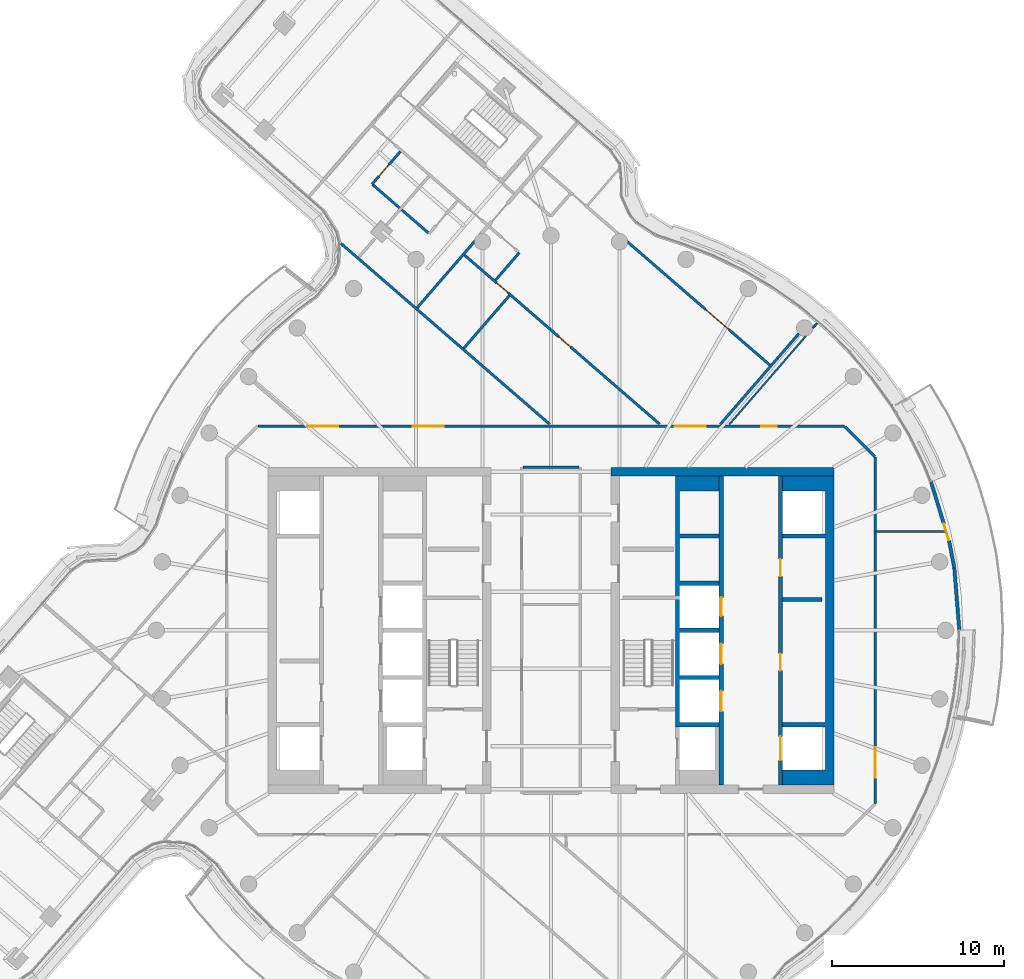
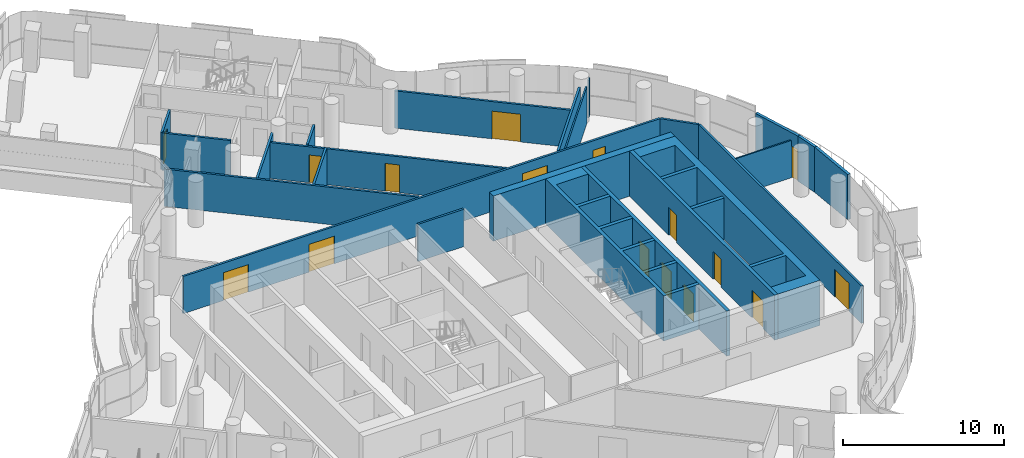
# One storey, part 22 of 32: 25 walls, 16 doors, 16 openings.
"""IFC4 building model written with IfcOpenShell, lengths in metres."""

from ifc_helpers import new_model, si_unit, direction, frame, frame_2d, origin, place, context, subcontext, project, spatial, polyline, rectangle, outline, extrude, material, layer, layer_set, type_object, element, fill, save


model = new_model("IFC4")

# Units and contexts
model_context = context("Model", 3, precision=1e-05, world=origin(), true_north=direction((0.0, 1.0)))
body_context = subcontext(model_context, "Body", "Model", "MODEL_VIEW")
ifc_project = project(units=[si_unit("LENGTHUNIT", "METRE"), si_unit("AREAUNIT", "SQUARE_METRE"), si_unit("VOLUMEUNIT", "CUBIC_METRE"), si_unit("PLANEANGLEUNIT", "RADIAN"), si_unit("MASSUNIT", "GRAM", prefix="KILO")], contexts=[model_context])

# Site, building, storey
site_placement = place(None, origin())
site = spatial("IfcSite", under=ifc_project, at=site_placement, CompositionType="ELEMENT")
building_placement = place(site_placement, origin())
building = spatial("IfcBuilding", under=site, at=building_placement, Name="Tamarind Cross Interchange Tower", CompositionType="ELEMENT")
storey_placement = place(building_placement, frame((0.0, 0.0, 211.300048828125)))
storey = spatial("IfcBuildingStorey", under=building, at=storey_placement, Name="L53", CompositionType="ELEMENT", Elevation=211.300048828125)

# Wall
ifc_material_1 = material(Name="Concrete C40", Category="concrete")
ifc_layer_1 = layer(ifc_material_1, 0.199951171875)
ifc_layer_set_1 = layer_set([ifc_layer_1], Name="Concrete C40")
wall_type_1 = type_object("IfcWallType", Name="Balcony and garden door wall", PredefinedType="SOLIDWALL", material=ifc_layer_set_1)
wall_1_placement = place(storey_placement, frame((23.79296875, 0.03076171875, 0.0), z_axis=(0.0, 0.0, 1.0), x_axis=(-0.080027055539, 0.996792691778, 0.0)))
element("IfcWall", 1, at=wall_1_placement, inside=storey, type_object=wall_type_1, Name="EXW-L53-06-D06L", PredefinedType="SOLIDWALL", context=body_context, shape_type="SweptSolid", body=[
    extrude(rectangle(XDim=3.614990234375, YDim=0.199951171875, at=frame_2d((1.8076171875, 0.0))), origin(), (0.0, 0.0, 1.0), 3.419921875),
])

# Wall, opening, door
wall_2_placement = place(storey_placement, frame((23.199951171875, 5.204345703125, 0.0), z_axis=(0.0, 0.0, 1.0), x_axis=(-0.292656271442, 0.956217708885, 0.0)))
wall_2 = element("IfcWall", 2, at=wall_2_placement, inside=storey, type_object=wall_type_1, Name="EXW-L53-06-D06R", PredefinedType="SOLIDWALL", context=body_context, shape_type="SweptSolid", body=[
    extrude(rectangle(XDim=3.613037109375, YDim=0.199951171875, at=frame_2d((1.806640625, 0.0))), origin(), (0.0, 0.0, 1.0), 3.419921875),
])
opening_1_placement = place(wall_2_placement, frame((0.050048828125, 0.0, 0.0)))
opening_1 = element("IfcOpeningElement", 3, at=opening_1_placement, cuts=wall_2, Name="Opening D2", PredefinedType="OPENING", context=body_context, shape_type="SweptSolid", body=[
    extrude(rectangle(XDim=1.0, YDim=2.39990234375, at=frame_2d((0.5, 1.199951171875))), frame((0.0, 0.10986328125, 0.0), z_axis=(0.0, -1.0, 0.0), x_axis=(1.0, 0.0, 0.0)), (0.0, 0.0, 1.0), 0.219970703125),
])
ifc_material_2 = material(Name="Aluminium and toughened glass", Category="aluminium")
door_type_1 = type_object("IfcDoorType", Name="Balcony and garden door", OperationType="SINGLE_SWING_LEFT", PredefinedType="DOOR", material=ifc_material_2)
door_1_placement = place(opening_1_placement, origin())
door_1 = element("IfcDoor", 4, at=door_1_placement, inside=storey, type_object=door_type_1, Name="DOR-L53-06-06", OperationType="SINGLE_SWING_LEFT", OverallHeight=2.39990234375, OverallWidth=1.0, PredefinedType="DOOR", context=body_context, shape_type="SweptSolid", body=[
    extrude(rectangle(XDim=1.0, YDim=2.39990234375, at=frame_2d((0.5, 1.199951171875))), frame((0.0, 0.02490234375, 0.0), z_axis=(0.0, -1.0, 0.0), x_axis=(1.0, 0.0, 0.0)), (0.0, 0.0, 1.0), 0.050048828125),
])
fill(opening_1, door_1)

# Walls
wall_3_placement = place(storey_placement, frame((23.503662109375, 3.63427734375, 0.0), z_axis=(0.0, 0.0, 1.0), x_axis=(-0.189917473451, 0.981800057689, 0.0)))
element("IfcWall", 5, at=wall_3_placement, inside=storey, type_object=wall_type_1, Name="EXW-L53-06-D06", PredefinedType="SOLIDWALL", context=body_context, shape_type="SweptSolid", body=[
    extrude(rectangle(XDim=1.59912109375, YDim=0.199951171875, at=frame_2d((0.799560546875, 0.0))), origin(), (0.0, 0.0, 1.0), 3.419921875),
])
ifc_material_3 = material(Name="Concrete C55", Category="concrete")
ifc_layer_2 = layer(ifc_material_3, 0.5)
ifc_layer_set_2 = layer_set([ifc_layer_2], Name="Concrete C55")
wall_type_2 = type_object("IfcWallType", Name="Core wall 500 mm Concrete C55", PredefinedType="SHEAR", material=ifc_layer_set_2)
wall_4_placement = place(storey_placement, origin())
element("IfcWall", 6, at=wall_4_placement, inside=storey, type_object=wall_type_2, Name="Core wall CWL-L53-E-A", PredefinedType="SHEAR", context=body_context, shape_type="SweptSolid", body=[
    extrude(outline(polyline([(13.5, -8.125), (13.5, -9.0), (16.0, -9.0), (16.5, -9.0), (16.5, 9.0), (16.0, 9.0), (13.5, 9.0), (13.5, 8.125), (16.0, 8.125), (16.0, 5.625), (13.5, 5.625), (13.5, 5.375), (16.0, 5.375), (16.0, -5.375), (13.5, -5.375), (13.5, -5.625), (16.0, -5.625), (16.0, -8.125), (13.5, -8.125)])), origin(), (0.0, 0.0, 1.0), 3.419921875),
])
wall_5_placement = place(storey_placement, frame((16.5, 9.25, 0.0), z_axis=(0.0, 0.0, 1.0), x_axis=(-1.0, 0.0, 0.0)))
element("IfcWall", 7, at=wall_5_placement, inside=storey, type_object=wall_type_2, Name="Core wall CWL-L53-E-NE", PredefinedType="SHEAR", context=body_context, shape_type="SweptSolid", body=[
    extrude(rectangle(XDim=13.0, YDim=0.5, at=frame_2d((6.5, 0.0))), origin(), (0.0, 0.0, 1.0), 3.419921875),
])
ifc_layer_3 = layer(ifc_material_3, 0.25)
ifc_layer_set_3 = layer_set([ifc_layer_3], Name="Concrete C55")
wall_type_3 = type_object("IfcWallType", Name="Core web wall 250 mm Concrete C55", PredefinedType="SHEAR", material=ifc_layer_set_3)
wall_6_placement = place(storey_placement, origin())
element("IfcWall", 8, at=wall_6_placement, inside=storey, type_object=wall_type_3, Name="Core wall CWL-L53-E-BN", PredefinedType="SHEAR", context=body_context, shape_type="SweptSolid", body=[
    extrude(outline(polyline([(9.800048828125, -5.375), (7.5, -5.375), (7.5, -2.875), (9.800048828125, -2.875), (9.800048828125, -2.625), (7.5, -2.625), (7.5, -0.125), (9.800048828125, -0.125), (9.800048828125, 0.125), (7.5, 0.125), (7.5, 2.625), (9.800048828125, 2.625), (9.800048828125, 2.875), (7.5, 2.875), (7.5, 5.375), (9.800048828125, 5.375), (9.800048828125, 5.625), (7.5, 5.625), (7.5, 8.125), (9.800048828125, 8.125), (9.800048828125, 9.0), (7.5, 9.0), (7.25, 9.0), (7.25, -5.625), (7.5, -5.625), (9.800048828125, -5.625), (9.800048828125, -5.375)])), origin(), (0.0, 0.0, 1.0), 3.419921875),
])

# Wall, openings, doors
wall_7_placement = place(storey_placement, frame((13.375, -9.0, 0.0), z_axis=(0.0, 0.0, 1.0), x_axis=(0.0, 1.0, 0.0)))
wall_7 = element("IfcWall", 9, at=wall_7_placement, inside=storey, type_object=wall_type_3, Name="Core wall CWL-L53-E-LA", PredefinedType="SHEAR", context=body_context, shape_type="SweptSolid", body=[
    extrude(rectangle(XDim=18.0, YDim=0.25, at=frame_2d((9.0, 0.0))), origin(), (0.0, 0.0, 1.0), 3.419921875),
])
opening_2_placement = place(wall_7_placement, frame((1.425048828125, 0.0, 0.0)))
opening_2 = element("IfcOpeningElement", 10, at=opening_2_placement, cuts=wall_7, Name="Opening LD13L53", PredefinedType="OPENING", context=body_context, shape_type="SweptSolid", body=[
    extrude(rectangle(XDim=1.39990234375, YDim=2.10009765625, at=frame_2d((0.699951171875, 1.050048828125))), frame((0.0, 0.135009765625, 0.0), z_axis=(0.0, -1.0, 0.0), x_axis=(1.0, 0.0, 0.0)), (0.0, 0.0, 1.0), 0.27001953125),
])
opening_3_placement = place(wall_7_placement, frame((6.64599609375, 0.0, 0.0)))
opening_3 = element("IfcOpeningElement", 11, at=opening_3_placement, cuts=wall_7, Name="Opening DCE9", PredefinedType="OPENING", context=body_context, shape_type="SweptSolid", body=[
    extrude(rectangle(XDim=1.0, YDim=2.10009765625, at=frame_2d((0.5, 1.050048828125))), frame((0.0, 0.135009765625, 0.0), z_axis=(0.0, -1.0, 0.0), x_axis=(1.0, 0.0, 0.0)), (0.0, 0.0, 1.0), 0.27001953125),
])
opening_4_placement = place(wall_7_placement, frame((12.14599609375, 0.0, 0.0)))
opening_4 = element("IfcOpeningElement", 12, at=opening_4_placement, cuts=wall_7, Name="Opening DCE10", PredefinedType="OPENING", context=body_context, shape_type="SweptSolid", body=[
    extrude(rectangle(XDim=1.0, YDim=2.10009765625, at=frame_2d((0.5, 1.050048828125))), frame((0.0, 0.135009765625, 0.0), z_axis=(0.0, -1.0, 0.0), x_axis=(1.0, 0.0, 0.0)), (0.0, 0.0, 1.0), 0.27001953125),
])
ifc_material_4 = material(Name="Steel, fire-resisting", Category="steel")
door_type_2 = type_object("IfcDoorType", Name="Core fire door 1000 x 2100 FD90", OperationType="SINGLE_SWING_LEFT", PredefinedType="DOOR", material=ifc_material_4)
door_2_placement = place(opening_3_placement, origin())
door_2 = element("IfcDoor", 13, at=door_2_placement, inside=storey, type_object=door_type_2, Name="L53 Ice and vending room door", OperationType="SINGLE_SWING_LEFT", OverallHeight=2.10009765625, OverallWidth=1.0, PredefinedType="DOOR", context=body_context, shape_type="SweptSolid", body=[
    extrude(rectangle(XDim=1.0, YDim=2.10009765625, at=frame_2d((0.5, 1.050048828125))), frame((0.0, 0.02490234375, 0.0), z_axis=(0.0, -1.0, 0.0), x_axis=(1.0, 0.0, 0.0)), (0.0, 0.0, 1.0), 0.050048828125),
])
fill(opening_3, door_2)
door_3_placement = place(opening_4_placement, origin())
door_3 = element("IfcDoor", 14, at=door_3_placement, inside=storey, type_object=door_type_2, Name="L53 Guest laundry door", OperationType="SINGLE_SWING_LEFT", OverallHeight=2.10009765625, OverallWidth=1.0, PredefinedType="DOOR", context=body_context, shape_type="SweptSolid", body=[
    extrude(rectangle(XDim=1.0, YDim=2.10009765625, at=frame_2d((0.5, 1.050048828125))), frame((0.0, 0.02490234375, 0.0), z_axis=(0.0, -1.0, 0.0), x_axis=(1.0, 0.0, 0.0)), (0.0, 0.0, 1.0), 0.050048828125),
])
fill(opening_4, door_3)
ifc_material_5 = material(Name="Stainless steel panel", Category="steel")
door_type_3 = type_object("IfcDoorType", Name="Lift landing door 1400 x 2100 E 120", OperationType="SLIDING_TO_LEFT", PredefinedType="DOOR", material=ifc_material_5)
door_4_placement = place(opening_2_placement, origin())
door_4 = element("IfcDoor", 15, at=door_4_placement, inside=storey, type_object=door_type_3, Name="L53 landing door LF13", OperationType="SLIDING_TO_LEFT", OverallHeight=2.10009765625, OverallWidth=1.39990234375, PredefinedType="DOOR", context=body_context, shape_type="SweptSolid", body=[
    extrude(rectangle(XDim=1.39990234375, YDim=2.10009765625, at=frame_2d((0.699951171875, 1.050048828125))), frame((0.0, 0.02490234375, 0.0), z_axis=(0.0, -1.0, 0.0), x_axis=(1.0, 0.0, 0.0)), (0.0, 0.0, 1.0), 0.050048828125),
])
fill(opening_2, door_4)

wall_8_placement = place(storey_placement, frame((9.925048828125, -9.0, 0.0), z_axis=(0.0, 0.0, 1.0), x_axis=(0.0, 1.0, 0.0)))
wall_8 = element("IfcWall", 16, at=wall_8_placement, inside=storey, type_object=wall_type_3, Name="Core wall CWL-L53-E-LB", PredefinedType="SHEAR", context=body_context, shape_type="SweptSolid", body=[
    extrude(rectangle(XDim=18.0, YDim=0.25, at=frame_2d((9.0, 0.0))), origin(), (0.0, 0.0, 1.0), 3.419921875),
])
opening_5_placement = place(wall_8_placement, frame((4.27490234375, 0.0, 0.0)))
opening_5 = element("IfcOpeningElement", 17, at=opening_5_placement, cuts=wall_8, Name="Opening LD20L53", PredefinedType="OPENING", context=body_context, shape_type="SweptSolid", body=[
    extrude(rectangle(XDim=1.199951171875, YDim=2.10009765625, at=frame_2d((0.60009765625, 1.050048828125))), frame((0.0, 0.135009765625, 0.0), z_axis=(0.0, -1.0, 0.0), x_axis=(1.0, 0.0, 0.0)), (0.0, 0.0, 1.0), 0.27001953125),
])
opening_6_placement = place(wall_8_placement, frame((7.02490234375, 0.0, 0.0)))
opening_6 = element("IfcOpeningElement", 18, at=opening_6_placement, cuts=wall_8, Name="Opening LD21L53", PredefinedType="OPENING", context=body_context, shape_type="SweptSolid", body=[
    extrude(rectangle(XDim=1.199951171875, YDim=2.10009765625, at=frame_2d((0.60009765625, 1.050048828125))), frame((0.0, 0.135009765625, 0.0), z_axis=(0.0, -1.0, 0.0), x_axis=(1.0, 0.0, 0.0)), (0.0, 0.0, 1.0), 0.27001953125),
])
opening_7_placement = place(wall_8_placement, frame((9.824951171875, 0.0, 0.0)))
opening_7 = element("IfcOpeningElement", 19, at=opening_7_placement, cuts=wall_8, Name="Opening LD22L53", PredefinedType="OPENING", context=body_context, shape_type="SweptSolid", body=[
    extrude(rectangle(XDim=1.10009765625, YDim=2.10009765625, at=frame_2d((0.550048828125, 1.050048828125))), frame((0.0, 0.135009765625, 0.0), z_axis=(0.0, -1.0, 0.0), x_axis=(1.0, 0.0, 0.0)), (0.0, 0.0, 1.0), 0.27001953125),
])
door_type_4 = type_object("IfcDoorType", Name="Lift landing door 1100 x 2100 E 120", OperationType="SLIDING_TO_LEFT", PredefinedType="DOOR", material=ifc_material_5)
door_5_placement = place(opening_7_placement, origin())
door_5 = element("IfcDoor", 20, at=door_5_placement, inside=storey, type_object=door_type_4, Name="L53 landing door LF22", OperationType="SLIDING_TO_LEFT", OverallHeight=2.10009765625, OverallWidth=1.10009765625, PredefinedType="DOOR", context=body_context, shape_type="SweptSolid", body=[
    extrude(rectangle(XDim=1.10009765625, YDim=2.10009765625, at=frame_2d((0.550048828125, 1.050048828125))), frame((0.0, 0.02490234375, 0.0), z_axis=(0.0, -1.0, 0.0), x_axis=(1.0, 0.0, 0.0)), (0.0, 0.0, 1.0), 0.050048828125),
])
fill(opening_7, door_5)
door_type_5 = type_object("IfcDoorType", Name="Lift landing door 1200 x 2100 E 120", OperationType="SLIDING_TO_LEFT", PredefinedType="DOOR", material=ifc_material_5)
door_6_placement = place(opening_5_placement, origin())
door_6 = element("IfcDoor", 21, at=door_6_placement, inside=storey, type_object=door_type_5, Name="L53 landing door LF20", OperationType="SLIDING_TO_LEFT", OverallHeight=2.10009765625, OverallWidth=1.199951171875, PredefinedType="DOOR", context=body_context, shape_type="SweptSolid", body=[
    extrude(rectangle(XDim=1.199951171875, YDim=2.10009765625, at=frame_2d((0.60009765625, 1.050048828125))), frame((0.0, 0.02490234375, 0.0), z_axis=(0.0, -1.0, 0.0), x_axis=(1.0, 0.0, 0.0)), (0.0, 0.0, 1.0), 0.050048828125),
])
fill(opening_5, door_6)
door_7_placement = place(opening_6_placement, origin())
door_7 = element("IfcDoor", 22, at=door_7_placement, inside=storey, type_object=door_type_5, Name="L53 landing door LF21", OperationType="SLIDING_TO_LEFT", OverallHeight=2.10009765625, OverallWidth=1.199951171875, PredefinedType="DOOR", context=body_context, shape_type="SweptSolid", body=[
    extrude(rectangle(XDim=1.199951171875, YDim=2.10009765625, at=frame_2d((0.60009765625, 1.050048828125))), frame((0.0, 0.02490234375, 0.0), z_axis=(0.0, -1.0, 0.0), x_axis=(1.0, 0.0, 0.0)), (0.0, 0.0, 1.0), 0.050048828125),
])
fill(opening_6, door_7)

# Walls
ifc_material_6 = material(Name="Gypsum board partition on steel studs", Category="steel")
ifc_layer_4 = layer(ifc_material_6, 0.10009765625)
ifc_layer_set_4 = layer_set([ifc_layer_4], Name="Gypsum board partition on steel studs")
wall_type_4 = type_object("IfcWallType", Name="Partition 100 mm EI 90", PredefinedType="PARTITIONING", material=ifc_layer_set_4)
wall_9_placement = place(storey_placement, frame((18.955078125, 5.764892578125, 0.0), z_axis=(0.0, 0.0, 1.0), x_axis=(1.0, 0.0, 0.0)))
element("IfcWall", 23, at=wall_9_placement, inside=storey, type_object=wall_type_4, Name="Partition L53-033", PredefinedType="PARTITIONING", context=body_context, shape_type="SweptSolid", body=[
    extrude(rectangle(XDim=4.021728515625, YDim=0.10009765625, at=frame_2d((2.0107421875, 0.0))), origin(), (0.0, 0.0, 1.0), 2.823974609375),
])
wall_10_placement = place(storey_placement, frame((10.384521484375, 11.99072265625, 0.0), z_axis=(0.0, 0.0, 1.0), x_axis=(0.654631052214, 0.755948533617, 0.0)))
element("IfcWall", 24, at=wall_10_placement, inside=storey, type_object=wall_type_4, Name="Partition L53-063", PredefinedType="PARTITIONING", context=body_context, shape_type="SweptSolid", body=[
    extrude(rectangle(XDim=6.828857421875, YDim=0.10009765625, at=frame_2d((3.41455078125, 0.0))), origin(), (0.0, 0.0, 1.0), 2.823974609375),
])
wall_11_placement = place(storey_placement, frame((15.2666015625, 17.62841796875, 0.0), z_axis=(0.0, 0.0, 1.0), x_axis=(0.655060689761, 0.75557626533, 0.0)))
element("IfcWall", 25, at=wall_11_placement, inside=storey, type_object=wall_type_4, Name="Partition L53-064", PredefinedType="PARTITIONING", context=body_context, shape_type="SweptSolid", body=[
    extrude(rectangle(XDim=0.35693359375, YDim=0.10009765625, at=frame_2d((0.178466796875, 0.0))), origin(), (0.0, 0.0, 1.0), 2.823974609375),
])
ifc_layer_5 = layer(ifc_material_6, 0.14990234375)
ifc_layer_set_5 = layer_set([ifc_layer_5], Name="Gypsum board partition on steel studs")
wall_type_5 = type_object("IfcWallType", Name="Partition 150 mm EI 120", PredefinedType="PARTITIONING", material=ifc_layer_set_5)
wall_12_placement = place(storey_placement, frame((17.12841796875, 11.87158203125, 0.0), z_axis=(0.0, 0.0, 1.0), x_axis=(0.707106781187, -0.707106781187, 0.0)))
element("IfcWall", 26, at=wall_12_placement, inside=storey, type_object=wall_type_5, Name="Partition L53-003", PredefinedType="PARTITIONING", context=body_context, shape_type="SweptSolid", body=[
    extrude(rectangle(XDim=2.465087890625, YDim=0.14990234375, at=frame_2d((1.232421875, 0.0))), origin(), (0.0, 0.0, 1.0), 2.823974609375),
])
wall_13_placement = place(storey_placement, frame((-12.2412109375, 22.54736328125, 0.0), z_axis=(0.0, 0.0, 1.0), x_axis=(0.7559218532, -0.6546618607, 0.0)))
element("IfcWall", 27, at=wall_13_placement, inside=storey, type_object=wall_type_5, Name="Partition L53-012", PredefinedType="PARTITIONING", context=body_context, shape_type="SweptSolid", body=[
    extrude(rectangle(XDim=16.0888671875, YDim=0.14990234375, at=frame_2d((8.04443359375, 0.0))), origin(), (0.0, 0.0, 1.0), 2.823974609375),
])
wall_14_placement = place(storey_placement, frame((-10.394775390625, 25.975830078125, 0.0), z_axis=(0.0, 0.0, 1.0), x_axis=(0.755739421536, -0.654872450739, 0.0)))
element("IfcWall", 28, at=wall_14_placement, inside=storey, type_object=wall_type_5, Name="Partition L53-014", PredefinedType="PARTITIONING", context=body_context, shape_type="SweptSolid", body=[
    extrude(rectangle(XDim=4.320556640625, YDim=0.14990234375, at=frame_2d((2.16015625, 0.0))), origin(), (0.0, 0.0, 1.0), 2.823974609375),
])

# Wall, openings, doors
wall_15_placement = place(storey_placement, frame((-5.03759765625, 21.865478515625, 0.0), z_axis=(0.0, 0.0, 1.0), x_axis=(0.755861973067, -0.654730996419, 0.0)))
wall_15 = element("IfcWall", 29, at=wall_15_placement, inside=storey, type_object=wall_type_5, Name="Partition L53-018", PredefinedType="PARTITIONING", context=body_context, shape_type="SweptSolid", body=[
    extrude(rectangle(XDim=15.047119140625, YDim=0.14990234375, at=frame_2d((7.5234375, 0.0))), origin(), (0.0, 0.0, 1.0), 2.719970703125),
])
opening_8_placement = place(wall_15_placement, frame((2.4697265625, 0.0, 0.0)))
opening_8 = element("IfcOpeningElement", 30, at=opening_8_placement, cuts=wall_15, Name="Opening D10", PredefinedType="OPENING", context=body_context, shape_type="SweptSolid", body=[
    extrude(rectangle(XDim=0.89990234375, YDim=2.10009765625, at=frame_2d((0.449951171875, 1.050048828125))), frame((0.0, 0.0849609375, 0.0), z_axis=(0.0, -1.0, 0.0), x_axis=(1.0, 0.0, 0.0)), (0.0, 0.0, 1.0), 0.169921875),
])
opening_9_placement = place(wall_15_placement, frame((7.27001953125, 0.0, 0.0)))
opening_9 = element("IfcOpeningElement", 31, at=opening_9_placement, cuts=wall_15, Name="Opening D11", PredefinedType="OPENING", context=body_context, shape_type="SweptSolid", body=[
    extrude(rectangle(XDim=0.89990234375, YDim=2.10009765625, at=frame_2d((0.449951171875, 1.050048828125))), frame((0.0, 0.0849609375, 0.0), z_axis=(0.0, -1.0, 0.0), x_axis=(1.0, 0.0, 0.0)), (0.0, 0.0, 1.0), 0.169921875),
])
ifc_material_7 = material(Name="Fire-resisting door set")
door_type_6 = type_object("IfcDoorType", Name="Interior door 900 x 2100 FD60S", OperationType="SINGLE_SWING_LEFT", PredefinedType="DOOR", material=ifc_material_7)
door_8_placement = place(opening_8_placement, frame((0.89990234375, 0.0, 0.0), z_axis=(0.0, 0.0, 1.0), x_axis=(-1.0, 0.0, 0.0)))
door_8 = element("IfcDoor", 32, at=door_8_placement, inside=storey, type_object=door_type_6, Name="Door D10", OperationType="SINGLE_SWING_LEFT", OverallHeight=2.10009765625, OverallWidth=0.89990234375, PredefinedType="DOOR", context=body_context, shape_type="SweptSolid", body=[
    extrude(rectangle(XDim=0.89990234375, YDim=2.10009765625, at=frame_2d((0.449951171875, 1.050048828125))), frame((0.0, 0.02490234375, 0.0), z_axis=(0.0, -1.0, 0.0), x_axis=(1.0, 0.0, 0.0)), (0.0, 0.0, 1.0), 0.050048828125),
])
fill(opening_8, door_8)
door_9_placement = place(opening_9_placement, frame((0.89990234375, 0.0, 0.0), z_axis=(0.0, 0.0, 1.0), x_axis=(-1.0, 0.0, 0.0)))
door_9 = element("IfcDoor", 33, at=door_9_placement, inside=storey, type_object=door_type_6, Name="Door D11", OperationType="SINGLE_SWING_RIGHT", OverallHeight=2.10009765625, OverallWidth=0.89990234375, PredefinedType="DOOR", context=body_context, shape_type="SweptSolid", body=[
    extrude(rectangle(XDim=0.89990234375, YDim=2.10009765625, at=frame_2d((0.449951171875, 1.050048828125))), frame((0.0, 0.02490234375, 0.0), z_axis=(0.0, -1.0, 0.0), x_axis=(1.0, 0.0, 0.0)), (0.0, 0.0, 1.0), 0.050048828125),
])
fill(opening_9, door_9)

# Wall, opening, door
wall_16_placement = place(storey_placement, frame((4.361572265625, 22.72265625, 0.0), z_axis=(0.0, 0.0, 1.0), x_axis=(0.756102728105, -0.654452950603, 0.0)))
wall_16 = element("IfcWall", 34, at=wall_16_placement, inside=storey, type_object=wall_type_5, Name="Partition L53-021", PredefinedType="PARTITIONING", context=body_context, shape_type="SweptSolid", body=[
    extrude(rectangle(XDim=11.09619140625, YDim=0.14990234375, at=frame_2d((5.548095703125, 0.0))), origin(), (0.0, 0.0, 1.0), 2.823974609375),
])
opening_10_placement = place(wall_16_placement, frame((6.146728515625, 0.0, 0.0)))
opening_10 = element("IfcOpeningElement", 35, at=opening_10_placement, cuts=wall_16, Name="Opening D14", PredefinedType="OPENING", context=body_context, shape_type="SweptSolid", body=[
    extrude(rectangle(XDim=1.800048828125, YDim=2.10009765625, at=frame_2d((0.89990234375, 1.050048828125))), frame((0.0, 0.0849609375, 0.0), z_axis=(0.0, -1.0, 0.0), x_axis=(1.0, 0.0, 0.0)), (0.0, 0.0, 1.0), 0.169921875),
])
door_type_7 = type_object("IfcDoorType", Name="Interior door 1800 x 2100 FD60S", OperationType="DOUBLE_DOOR_SINGLE_SWING", PredefinedType="DOOR", material=ifc_material_7)
door_10_placement = place(opening_10_placement, origin())
door_10 = element("IfcDoor", 36, at=door_10_placement, inside=storey, type_object=door_type_7, Name="Door D14", OperationType="DOUBLE_DOOR_SINGLE_SWING", OverallHeight=2.10009765625, OverallWidth=1.800048828125, PredefinedType="DOOR", context=body_context, shape_type="SweptSolid", body=[
    extrude(rectangle(XDim=1.800048828125, YDim=2.10009765625, at=frame_2d((0.89990234375, 1.050048828125))), frame((0.0, 0.02490234375, 0.0), z_axis=(0.0, -1.0, 0.0), x_axis=(1.0, 0.0, 0.0)), (0.0, 0.0, 1.0), 0.050048828125),
])
fill(opening_10, door_10)

# Wall, openings, doors
wall_17_placement = place(storey_placement, frame((-17.06494140625, 11.89990234375, 0.0), z_axis=(0.0, 0.0, 1.0), x_axis=(1.0, 0.0, 0.0)))
wall_17 = element("IfcWall", 37, at=wall_17_placement, inside=storey, type_object=wall_type_5, Name="Partition L53-029", PredefinedType="PARTITIONING", context=body_context, shape_type="SweptSolid", body=[
    extrude(rectangle(XDim=34.1650390625, YDim=0.14990234375, at=frame_2d((17.08251953125, 0.0))), origin(), (0.0, 0.0, 1.0), 2.823974609375),
])
opening_11_placement = place(wall_17_placement, frame((24.283935546875, 0.0, 0.0)))
opening_11 = element("IfcOpeningElement", 38, at=opening_11_placement, cuts=wall_17, Name="Opening D22", PredefinedType="OPENING", context=body_context, shape_type="SweptSolid", body=[
    extrude(rectangle(XDim=1.800048828125, YDim=2.10009765625, at=frame_2d((0.89990234375, 1.050048828125))), frame((0.0, 0.0849609375, 0.0), z_axis=(0.0, -1.0, 0.0), x_axis=(1.0, 0.0, 0.0)), (0.0, 0.0, 1.0), 0.169921875),
])
opening_12_placement = place(wall_17_placement, frame((9.009033203125, 0.0, 0.0)))
opening_12 = element("IfcOpeningElement", 39, at=opening_12_placement, cuts=wall_17, Name="Opening D23", PredefinedType="OPENING", context=body_context, shape_type="SweptSolid", body=[
    extrude(rectangle(XDim=1.800048828125, YDim=2.10009765625, at=frame_2d((0.89990234375, 1.050048828125))), frame((0.0, 0.0849609375, 0.0), z_axis=(0.0, -1.0, 0.0), x_axis=(1.0, 0.0, 0.0)), (0.0, 0.0, 1.0), 0.169921875),
])
opening_13_placement = place(wall_17_placement, frame((29.321044921875, 0.0, 0.0)))
opening_13 = element("IfcOpeningElement", 40, at=opening_13_placement, cuts=wall_17, Name="Opening D24", PredefinedType="OPENING", context=body_context, shape_type="SweptSolid", body=[
    extrude(rectangle(XDim=0.89990234375, YDim=2.10009765625, at=frame_2d((0.449951171875, 1.050048828125))), frame((0.0, 0.0849609375, 0.0), z_axis=(0.0, -1.0, 0.0), x_axis=(1.0, 0.0, 0.0)), (0.0, 0.0, 1.0), 0.169921875),
])
opening_14_placement = place(wall_17_placement, frame((2.85888671875, 0.0, 0.0)))
opening_14 = element("IfcOpeningElement", 41, at=opening_14_placement, cuts=wall_17, Name="Opening D25", PredefinedType="OPENING", context=body_context, shape_type="SweptSolid", body=[
    extrude(rectangle(XDim=1.800048828125, YDim=2.10009765625, at=frame_2d((0.89990234375, 1.050048828125))), frame((0.0, 0.0849609375, 0.0), z_axis=(0.0, -1.0, 0.0), x_axis=(1.0, 0.0, 0.0)), (0.0, 0.0, 1.0), 0.169921875),
])
door_11_placement = place(opening_11_placement, frame((1.800048828125, 0.0, 0.0), z_axis=(0.0, 0.0, 1.0), x_axis=(-1.0, 0.0, 0.0)))
door_11 = element("IfcDoor", 42, at=door_11_placement, inside=storey, type_object=door_type_7, Name="Door D22", OperationType="DOUBLE_DOOR_SINGLE_SWING", OverallHeight=2.10009765625, OverallWidth=1.800048828125, PredefinedType="DOOR", context=body_context, shape_type="SweptSolid", body=[
    extrude(rectangle(XDim=1.800048828125, YDim=2.10009765625, at=frame_2d((0.89990234375, 1.050048828125))), frame((0.0, 0.02490234375, 0.0), z_axis=(0.0, -1.0, 0.0), x_axis=(1.0, 0.0, 0.0)), (0.0, 0.0, 1.0), 0.050048828125),
])
fill(opening_11, door_11)
door_12_placement = place(opening_12_placement, origin())
door_12 = element("IfcDoor", 43, at=door_12_placement, inside=storey, type_object=door_type_7, Name="Door D23", OperationType="DOUBLE_DOOR_SINGLE_SWING", OverallHeight=2.10009765625, OverallWidth=1.800048828125, PredefinedType="DOOR", context=body_context, shape_type="SweptSolid", body=[
    extrude(rectangle(XDim=1.800048828125, YDim=2.10009765625, at=frame_2d((0.89990234375, 1.050048828125))), frame((0.0, 0.02490234375, 0.0), z_axis=(0.0, -1.0, 0.0), x_axis=(1.0, 0.0, 0.0)), (0.0, 0.0, 1.0), 0.050048828125),
])
fill(opening_12, door_12)
door_13_placement = place(opening_14_placement, origin())
door_13 = element("IfcDoor", 44, at=door_13_placement, inside=storey, type_object=door_type_7, Name="Door D25", OperationType="DOUBLE_DOOR_SINGLE_SWING", OverallHeight=2.10009765625, OverallWidth=1.800048828125, PredefinedType="DOOR", context=body_context, shape_type="SweptSolid", body=[
    extrude(rectangle(XDim=1.800048828125, YDim=2.10009765625, at=frame_2d((0.89990234375, 1.050048828125))), frame((0.0, 0.02490234375, 0.0), z_axis=(0.0, -1.0, 0.0), x_axis=(1.0, 0.0, 0.0)), (0.0, 0.0, 1.0), 0.050048828125),
])
fill(opening_14, door_13)
door_14_placement = place(opening_13_placement, origin())
door_14 = element("IfcDoor", 45, at=door_14_placement, inside=storey, type_object=door_type_6, Name="Door D24", OperationType="SINGLE_SWING_LEFT", OverallHeight=2.10009765625, OverallWidth=0.89990234375, PredefinedType="DOOR", context=body_context, shape_type="SweptSolid", body=[
    extrude(rectangle(XDim=0.89990234375, YDim=2.10009765625, at=frame_2d((0.449951171875, 1.050048828125))), frame((0.0, 0.02490234375, 0.0), z_axis=(0.0, -1.0, 0.0), x_axis=(1.0, 0.0, 0.0)), (0.0, 0.0, 1.0), 0.050048828125),
])
fill(opening_13, door_14)

# Wall
wall_18_placement = place(storey_placement, frame((-1.639892578125, 9.5, 0.0), z_axis=(0.0, 0.0, 1.0), x_axis=(1.0, 0.0, 0.0)))
element("IfcWall", 46, at=wall_18_placement, inside=storey, type_object=wall_type_5, Name="Partition L53-032", PredefinedType="PARTITIONING", context=body_context, shape_type="SweptSolid", body=[
    extrude(rectangle(XDim=3.27978515625, YDim=0.14990234375, at=frame_2d((1.639892578125, 0.0))), origin(), (0.0, 0.0, 1.0), 2.823974609375),
])

# Wall, opening, door
wall_19_placement = place(storey_placement, frame((-10.425048828125, 26.001953125, 0.0), z_axis=(0.0, 0.0, 1.0), x_axis=(0.65471655717, 0.755874480167, 0.0)))
wall_19 = element("IfcWall", 47, at=wall_19_placement, inside=storey, type_object=wall_type_5, Name="Partition L53-046", PredefinedType="PARTITIONING", context=body_context, shape_type="SweptSolid", body=[
    extrude(rectangle(XDim=2.51953125, YDim=0.14990234375, at=frame_2d((1.259765625, 0.0))), origin(), (0.0, 0.0, 1.0), 2.820068359375),
])
opening_15_placement = place(wall_19_placement, frame((0.60009765625, 0.0, 0.0)))
opening_15 = element("IfcOpeningElement", 48, at=opening_15_placement, cuts=wall_19, Name="Opening D30", PredefinedType="OPENING", context=body_context, shape_type="SweptSolid", body=[
    extrude(rectangle(XDim=0.89990234375, YDim=2.10009765625, at=frame_2d((0.449951171875, 1.050048828125))), frame((0.0, 0.0849609375, 0.0), z_axis=(0.0, -1.0, 0.0), x_axis=(1.0, 0.0, 0.0)), (0.0, 0.0, 1.0), 0.169921875),
])
door_15_placement = place(opening_15_placement, frame((0.89990234375, 0.0, 0.0), z_axis=(0.0, 0.0, 1.0), x_axis=(-1.0, 0.0, 0.0)))
door_15 = element("IfcDoor", 49, at=door_15_placement, inside=storey, type_object=door_type_6, Name="Door D30", OperationType="SINGLE_SWING_LEFT", OverallHeight=2.10009765625, OverallWidth=0.89990234375, PredefinedType="DOOR", context=body_context, shape_type="SweptSolid", body=[
    extrude(rectangle(XDim=0.89990234375, YDim=2.10009765625, at=frame_2d((0.449951171875, 1.050048828125))), frame((0.0, 0.02490234375, 0.0), z_axis=(0.0, -1.0, 0.0), x_axis=(1.0, 0.0, 0.0)), (0.0, 0.0, 1.0), 0.050048828125),
])
fill(opening_15, door_15)

# Walls
wall_20_placement = place(storey_placement, frame((-7.795654296875, 18.803466796875, 0.0), z_axis=(0.0, 0.0, 1.0), x_axis=(0.654718163519, 0.755873088791, 0.0)))
element("IfcWall", 50, at=wall_20_placement, inside=storey, type_object=wall_type_5, Name="Partition L53-047", PredefinedType="PARTITIONING", context=body_context, shape_type="SweptSolid", body=[
    extrude(rectangle(XDim=5.1650390625, YDim=0.14990234375, at=frame_2d((2.58251953125, 0.0))), origin(), (0.0, 0.0, 1.0), 2.719970703125),
])
wall_21_placement = place(storey_placement, frame((-5.07470703125, 16.446533203125, 0.0), z_axis=(0.0, 0.0, 1.0), x_axis=(0.654718867346, 0.755872479153, 0.0)))
element("IfcWall", 51, at=wall_21_placement, inside=storey, type_object=wall_type_5, Name="Partition L53-050", PredefinedType="PARTITIONING", context=body_context, shape_type="SweptSolid", body=[
    extrude(rectangle(XDim=4.040283203125, YDim=0.14990234375, at=frame_2d((2.02001953125, 0.0))), origin(), (0.0, 0.0, 1.0), 2.823974609375),
])
wall_22_placement = place(storey_placement, frame((-3.231689453125, 20.407470703125, 0.0), z_axis=(0.0, 0.0, 1.0), x_axis=(0.654842812105, 0.755765103345, 0.0)))
element("IfcWall", 52, at=wall_22_placement, inside=storey, type_object=wall_type_5, Name="Partition L53-052", PredefinedType="PARTITIONING", context=body_context, shape_type="SweptSolid", body=[
    extrude(rectangle(XDim=2.119140625, YDim=0.14990234375, at=frame_2d((1.0595703125, 0.0))), origin(), (0.0, 0.0, 1.0), 2.823974609375),
])
wall_23_placement = place(storey_placement, frame((9.86474609375, 12.005859375, 0.0), z_axis=(0.0, 0.0, 1.0), x_axis=(0.654719299236, 0.75587210506, 0.0)))
element("IfcWall", 53, at=wall_23_placement, inside=storey, type_object=wall_type_5, Name="Partition L53-067", PredefinedType="PARTITIONING", context=body_context, shape_type="SweptSolid", body=[
    extrude(rectangle(XDim=6.9970703125, YDim=0.14990234375, at=frame_2d((3.49853515625, 0.0))), origin(), (0.0, 0.0, 1.0), 2.823974609375),
])

# Wall, opening, door
wall_24_placement = place(storey_placement, frame((18.89990234375, -10.10009765625, 0.0), z_axis=(0.0, 0.0, 1.0), x_axis=(0.0, 1.0, 0.0)))
wall_24 = element("IfcWall", 54, at=wall_24_placement, inside=storey, type_object=wall_type_5, Name="Partition L53-071", PredefinedType="PARTITIONING", context=body_context, shape_type="SweptSolid", body=[
    extrude(rectangle(XDim=20.2001953125, YDim=0.14990234375, at=frame_2d((10.10009765625, 0.0))), origin(), (0.0, 0.0, 1.0), 2.823974609375),
])
opening_16_placement = place(wall_24_placement, frame((1.5, 0.0, 0.0)))
opening_16 = element("IfcOpeningElement", 55, at=opening_16_placement, cuts=wall_24, Name="Opening D42", PredefinedType="OPENING", context=body_context, shape_type="SweptSolid", body=[
    extrude(rectangle(XDim=1.800048828125, YDim=2.10009765625, at=frame_2d((0.89990234375, 1.050048828125))), frame((0.0, 0.0849609375, 0.0), z_axis=(0.0, -1.0, 0.0), x_axis=(1.0, 0.0, 0.0)), (0.0, 0.0, 1.0), 0.169921875),
])
door_16_placement = place(opening_16_placement, origin())
door_16 = element("IfcDoor", 56, at=door_16_placement, inside=storey, type_object=door_type_7, Name="Door D42", OperationType="DOUBLE_DOOR_SINGLE_SWING", OverallHeight=2.10009765625, OverallWidth=1.800048828125, PredefinedType="DOOR", context=body_context, shape_type="SweptSolid", body=[
    extrude(rectangle(XDim=1.800048828125, YDim=2.10009765625, at=frame_2d((0.89990234375, 1.050048828125))), frame((0.0, 0.02490234375, 0.0), z_axis=(0.0, -1.0, 0.0), x_axis=(1.0, 0.0, 0.0)), (0.0, 0.0, 1.0), 0.050048828125),
])
fill(opening_16, door_16)

# Wall
ifc_layer_6 = layer(ifc_material_1, 0.25)
ifc_layer_set_6 = layer_set([ifc_layer_6], Name="Concrete C40")
wall_type_6 = type_object("IfcWallType", Name="Shaft and lobby wall 250 mm Concrete C40", PredefinedType="PARTITIONING", material=ifc_layer_set_6)
wall_25_placement = place(storey_placement, frame((15.800048828125, 1.7919921875, 0.0), z_axis=(0.0, 0.0, 1.0), x_axis=(-1.0, 0.0, 0.0)))
element("IfcWall", 57, at=wall_25_placement, inside=storey, type_object=wall_type_6, Name="Shaft wall CWL-L53-E-FPA1", PredefinedType="PARTITIONING", context=body_context, shape_type="SweptSolid", body=[
    extrude(rectangle(XDim=2.300048828125, YDim=0.25, at=frame_2d((1.14990234375, 0.0))), origin(), (0.0, 0.0, 1.0), 3.419921875),
])

save(model, "model.ifc")
